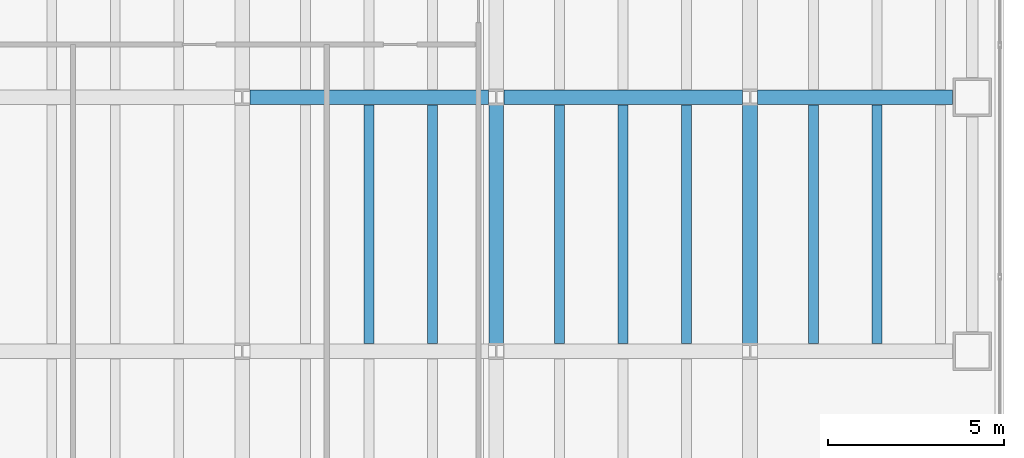
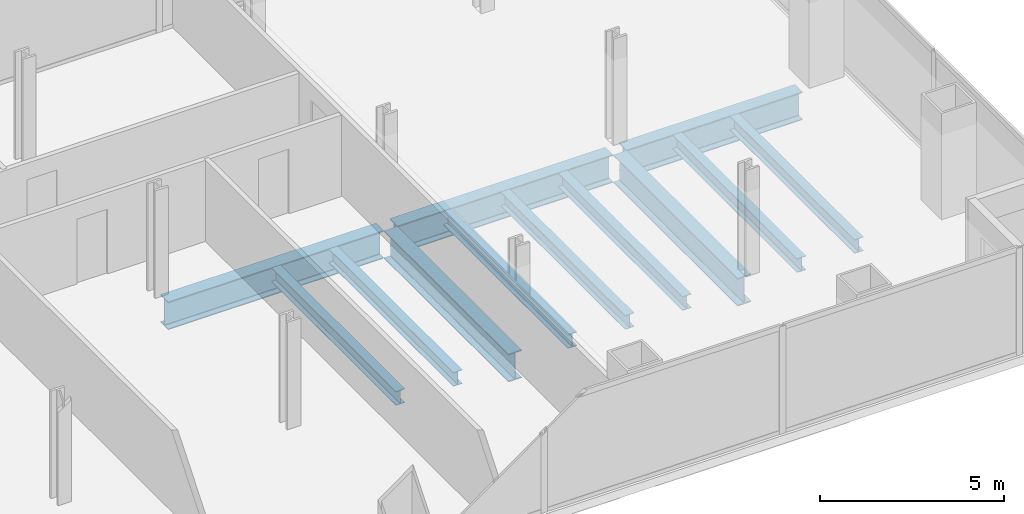
# One storey, part 9 of 25: 12 beams.
"""IFC4 building model written with IfcOpenShell, lengths in metres."""

from ifc_helpers import new_model, si_unit, direction, frame, origin, origin_2d, place, context, subcontext, project, spatial, i_section, extrude, material, material_profile, profile_set, type_object, element, save


model = new_model("IFC4")

# Units and contexts
model_context = context("Model", 3, precision=1e-05, world=origin(), true_north=direction((0.0, 1.0)))
body_context = subcontext(model_context, "Body", "Model", "MODEL_VIEW")
ifc_project = project(units=[si_unit("LENGTHUNIT", "METRE"), si_unit("AREAUNIT", "SQUARE_METRE"), si_unit("VOLUMEUNIT", "CUBIC_METRE"), si_unit("PLANEANGLEUNIT", "RADIAN"), si_unit("MASSUNIT", "GRAM", prefix="KILO")], contexts=[model_context])

# Site, building, storey
site_placement = place(None, origin())
site = spatial("IfcSite", under=ifc_project, at=site_placement, CompositionType="ELEMENT")
building_placement = place(site_placement, origin())
building = spatial("IfcBuilding", under=site, at=building_placement, Name="Cobrela Telecom Tower", CompositionType="ELEMENT")
storey_placement = place(building_placement, frame((0.0, 0.0, 42.699951171875)))
storey = spatial("IfcBuildingStorey", under=building, at=storey_placement, Name="L10", CompositionType="ELEMENT", Elevation=42.699951171875)

# Beams
ifc_material = material(Name="Steel ASTM A992 Grade 50", Category="steel")
ifc_material_profile_1 = material_profile(ifc_material, i_section(OverallWidth=0.4189453125, OverallDepth=0.927001953125, WebThickness=0.019287109375, FlangeThickness=0.031982421875, FilletRadius=0.02392578125, at=origin_2d()), Name="W36X231")
ifc_profile_set_1 = profile_set([ifc_material_profile_1], Name="Steel ASTM A992 Grade 50")
beam_type_1 = type_object("IfcBeamType", Name="BM-GIRD-02", PredefinedType="USERDEFINED", material=ifc_profile_set_1)
for number, where, z_axis, x_axis, name in (
    (1, (29.01611328125, 14.39990234375, -0.743408203125), (1.0, 0.0, 0.0), (0.0, 1.0, 0.0), "L10 Primary Girder X15"),
    (2, (36.216064453125, 14.39990234375, -0.743408203125), (1.0, 0.0, 0.0), (0.0, 1.0, 0.0), "L10 Primary Girder X16"),
):
    element("IfcBeam", number, at=place(storey_placement, frame(where, z_axis=z_axis, x_axis=x_axis)), inside=storey, type_object=beam_type_1, Name=name, ObjectType="GIRDER", PredefinedType="USERDEFINED", context=body_context, shape_type="SweptSolid", body=[
        extrude(i_section(OverallWidth=0.4189453125, OverallDepth=0.927001953125, WebThickness=0.019287109375, FlangeThickness=0.031982421875, FilletRadius=0.02392578125, at=origin_2d()), origin(), (0.0, 0.0, 1.0), 6.767822265625),
    ])
beam_placement = place(storey_placement, frame((43.416015625, 14.39990234375, -0.743408203125), z_axis=(1.0, 0.0, 0.0), x_axis=(0.0, 1.0, 0.0)))
element("IfcBeam", 3, at=beam_placement, inside=storey, type_object=beam_type_1, Name="L10 Primary Girder X17", ObjectType="GIRDER", PredefinedType="USERDEFINED", context=body_context, shape_type="SweptSolid", body=[
    extrude(i_section(OverallWidth=0.4189453125, OverallDepth=0.927001953125, WebThickness=0.019287109375, FlangeThickness=0.031982421875, FilletRadius=0.02392578125, at=origin_2d()), origin(), (0.0, 0.0, 1.0), 5.529052734375),
])
for number, where, z_axis, x_axis, name in (
    (4, (36.0, 7.416015625, -0.743408203125), (0.0, 1.0, 0.0), (-1.0, 0.0, 0.0), "L10 Primary Girder Y51"),
    (5, (43.199951171875, 7.416015625, -0.743408203125), (0.0, 1.0, 0.0), (-1.0, 0.0, 0.0), "L10 Primary Girder Y54"),
):
    element("IfcBeam", number, at=place(storey_placement, frame(where, z_axis=z_axis, x_axis=x_axis)), inside=storey, type_object=beam_type_1, Name=name, ObjectType="GIRDER", PredefinedType="USERDEFINED", context=body_context, shape_type="SweptSolid", body=[
        extrude(i_section(OverallWidth=0.4189453125, OverallDepth=0.927001953125, WebThickness=0.019287109375, FlangeThickness=0.031982421875, FilletRadius=0.02392578125, at=origin_2d()), origin(), (0.0, 0.0, 1.0), 6.76806640625),
    ])
ifc_material_profile_2 = material_profile(ifc_material, i_section(OverallWidth=0.281982421875, OverallDepth=0.467041015625, WebThickness=0.01220703125, FlangeThickness=0.01953125, FilletRadius=0.012939453125, at=origin_2d()), Name="W18X86")
ifc_profile_set_2 = profile_set([ifc_material_profile_2], Name="Steel ASTM A992 Grade 50")
beam_type_2 = type_object("IfcBeamType", Name="BM-JOIST-02", PredefinedType="JOIST", material=ifc_profile_set_2)
for number, where, z_axis, x_axis, name in (
    (6, (32.39990234375, 7.41455078125, -0.513427734375), (0.0, 1.0, 0.0), (-1.0, 0.0, 0.0), "L10 Secondary Composite Floor Beam J45"),
    (7, (34.199951171875, 7.41455078125, -0.513427734375), (0.0, 1.0, 0.0), (-1.0, 0.0, 0.0), "L10 Secondary Composite Floor Beam J48"),
    (8, (37.800048828125, 7.41455078125, -0.513427734375), (0.0, 1.0, 0.0), (-1.0, 0.0, 0.0), "L10 Secondary Composite Floor Beam J51"),
    (9, (39.60009765625, 7.41455078125, -0.513427734375), (0.0, 1.0, 0.0), (-1.0, 0.0, 0.0), "L10 Secondary Composite Floor Beam J54"),
    (10, (41.39990234375, 7.41455078125, -0.513427734375), (0.0, 1.0, 0.0), (-1.0, 0.0, 0.0), "L10 Secondary Composite Floor Beam J57"),
    (11, (45.0, 7.41455078125, -0.513427734375), (0.0, 1.0, 0.0), (-1.0, 0.0, 0.0), "L10 Secondary Composite Floor Beam J59"),
    (12, (46.800048828125, 7.41455078125, -0.513427734375), (0.0, 1.0, 0.0), (-1.0, 0.0, 0.0), "L10 Secondary Composite Floor Beam J61"),
):
    element("IfcBeam", number, at=place(storey_placement, frame(where, z_axis=z_axis, x_axis=x_axis)), inside=storey, type_object=beam_type_2, Name=name, PredefinedType="JOIST", context=body_context, shape_type="SweptSolid", body=[
        extrude(i_section(OverallWidth=0.281982421875, OverallDepth=0.467041015625, WebThickness=0.01220703125, FlangeThickness=0.01953125, FilletRadius=0.012939453125, at=origin_2d()), origin(), (0.0, 0.0, 1.0), 6.77099609375),
    ])

save(model, "model.ifc")
